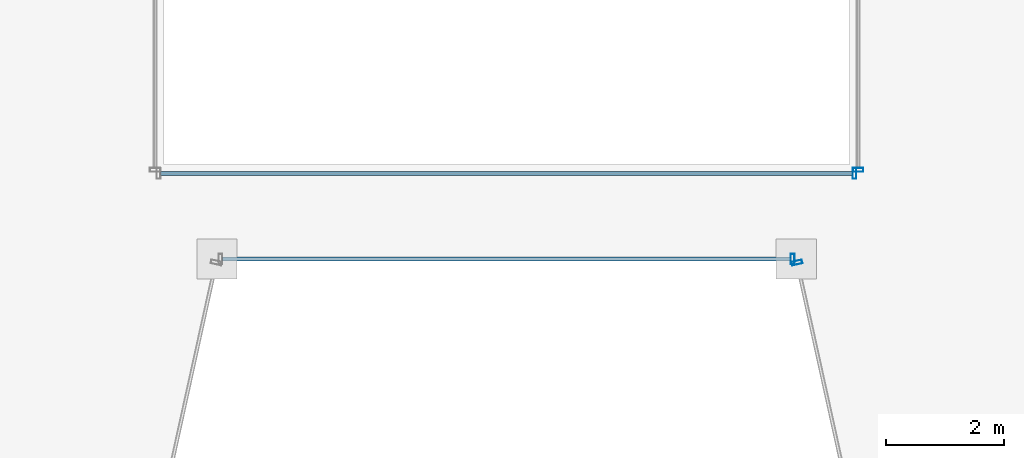
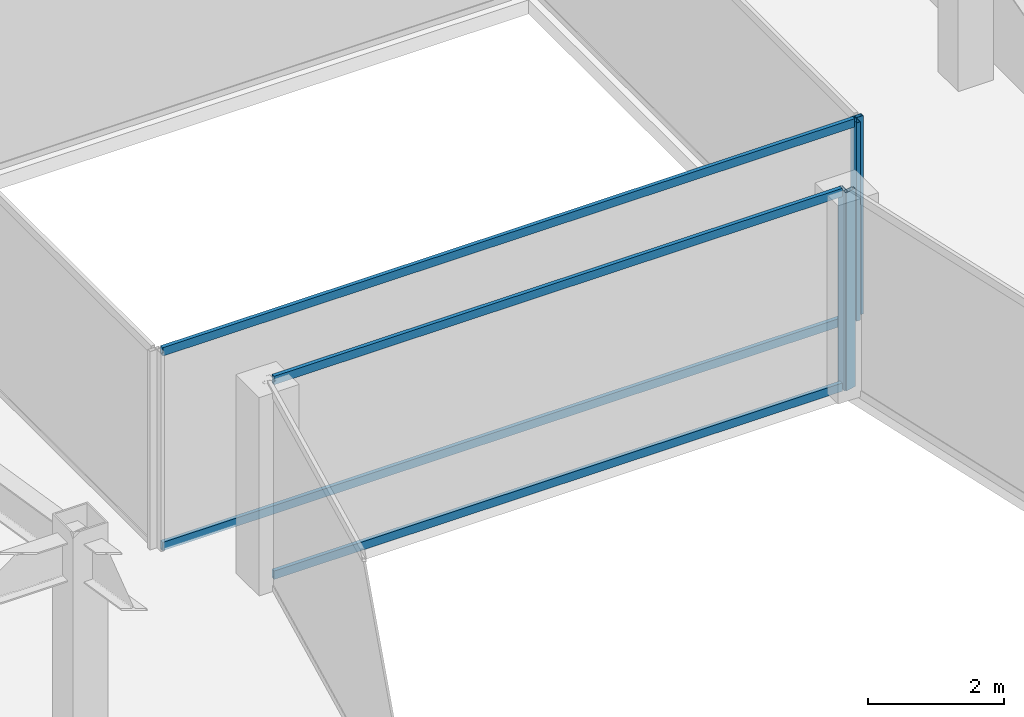
# One storey, part 7 of 36: 8 members, 4 elements without a shape of their own.
"""IFC4 building model written with IfcOpenShell, lengths in metres."""

from ifc_helpers import new_model, si_unit, direction, frame, origin, origin_2d, place, context, subcontext, project, spatial, hollow_rectangle, extrude, material, material_profile, profile_set, type_object, element, aggregate, save


model = new_model("IFC4")

# Units and contexts
model_context = context("Model", 3, precision=1e-05, world=origin(), true_north=direction((0.0, 1.0)))
body_context = subcontext(model_context, "Body", "Model", "MODEL_VIEW")
ifc_project = project(units=[si_unit("LENGTHUNIT", "METRE"), si_unit("AREAUNIT", "SQUARE_METRE"), si_unit("VOLUMEUNIT", "CUBIC_METRE"), si_unit("PLANEANGLEUNIT", "RADIAN"), si_unit("MASSUNIT", "GRAM", prefix="KILO")], contexts=[model_context])

# Site, building, storey
site_placement = place(None, origin())
site = spatial("IfcSite", under=ifc_project, at=site_placement, CompositionType="ELEMENT")
building_placement = place(site_placement, origin())
building = spatial("IfcBuilding", under=site, at=building_placement, Name="Saevonmaru Cultural Tower", CompositionType="ELEMENT")
storey_placement = place(building_placement, frame((0.0, 0.0, 171.39990234375)))
storey = spatial("IfcBuildingStorey", under=building, at=storey_placement, Name="L38", CompositionType="ELEMENT", Elevation=171.39990234375)

# Curtain wall, member
ifc_material = material(Name="Satin Bronze Anodised Aluminium", Category="aluminium")
curtain_wall_type_1 = type_object("IfcCurtainWallType", Name="CW-TYP-A", PredefinedType="NOTDEFINED", material=ifc_material)
curtain_wall_1_placement = place(storey_placement, origin())
curtain_wall_1 = element("IfcCurtainWall", 1, at=curtain_wall_1_placement, inside=storey, type_object=curtain_wall_type_1, Name="L38 Unitised Curtain Wall E4", PredefinedType="NOTDEFINED")
ifc_material_profile_1 = material_profile(ifc_material, hollow_rectangle(XDim=0.06494140625, YDim=0.179931640625, WallThickness=0.00390625, at=origin_2d()), Name="ALU-MULL-180x65x4")
ifc_profile_set_1 = profile_set([ifc_material_profile_1], Name="Satin Bronze Anodised Aluminium")
member_type_1 = type_object("IfcMemberType", Name="ML-CW-180x65", PredefinedType="MULLION", material=ifc_profile_set_1)
member_1_placement = place(storey_placement, frame((34.84228515625, 26.0, 0.0), z_axis=(0.0, 0.0, 1.0), x_axis=(1.0, 0.0, 0.0)))
member_1 = element("IfcMember", 2, at=member_1_placement, type_object=member_type_1, Name="CW-TW-L38-E4 mullion 2", PredefinedType="MULLION", context=body_context, shape_type="SweptSolid", body=[
    extrude(hollow_rectangle(XDim=0.06494140625, YDim=0.179931640625, WallThickness=0.00390625, at=origin_2d()), origin(), (0.0, 0.0, 1.0), 3.550048828125),
])

curtain_wall_2_placement = place(storey_placement, origin())
curtain_wall_2 = element("IfcCurtainWall", 3, at=curtain_wall_2_placement, inside=storey, type_object=curtain_wall_type_1, Name="L38 Unitised Curtain Wall E5", PredefinedType="NOTDEFINED")
member_2_placement = place(storey_placement, frame((34.9150390625, 25.94140625, 0.0), z_axis=(0.0, 0.0, 1.0), x_axis=(0.215413319953, -0.976522965212, 0.0)))
member_2 = element("IfcMember", 4, at=member_2_placement, type_object=member_type_1, Name="CW-TW-L38-E5 mullion 1", PredefinedType="MULLION", context=body_context, shape_type="SweptSolid", body=[
    extrude(hollow_rectangle(XDim=0.06494140625, YDim=0.179931640625, WallThickness=0.00390625, at=origin_2d()), origin(), (0.0, 0.0, 1.0), 3.550048828125),
])
aggregate(curtain_wall_2, [member_2])

curtain_wall_type_2 = type_object("IfcCurtainWallType", Name="CW-ATR-GLZ", PredefinedType="NOTDEFINED", material=ifc_material)
curtain_wall_3_placement = place(storey_placement, origin())
curtain_wall_3 = element("IfcCurtainWall", 5, at=curtain_wall_3_placement, inside=storey, type_object=curtain_wall_type_2, Name="L38 Vertical Atrium Glazed Smoke Screen 1", PredefinedType="NOTDEFINED")
ifc_material_profile_2 = material_profile(ifc_material, hollow_rectangle(XDim=0.06494140625, YDim=0.179931640625, WallThickness=0.00390625, at=origin_2d()), Name="ALU-MULL-180x65x4")
ifc_profile_set_2 = profile_set([ifc_material_profile_2], Name="Satin Bronze Anodised Aluminium")
member_type_2 = type_object("IfcMemberType", Name="ML-CW-INT-180x65", PredefinedType="MULLION", material=ifc_profile_set_2)
member_3_placement = place(storey_placement, frame((35.889892578125, 27.449951171875, 0.0), z_axis=(0.0, 0.0, 1.0), x_axis=(1.0, 0.0, 0.0)))
member_3 = element("IfcMember", 6, at=member_3_placement, type_object=member_type_2, Name="CW-ATR-L38-1 mullion 2", PredefinedType="MULLION", context=body_context, shape_type="SweptSolid", body=[
    extrude(hollow_rectangle(XDim=0.06494140625, YDim=0.179931640625, WallThickness=0.00390625, at=origin_2d()), origin(), (0.0, 0.0, 1.0), 3.550048828125),
])

curtain_wall_4_placement = place(storey_placement, origin())
curtain_wall_4 = element("IfcCurtainWall", 7, at=curtain_wall_4_placement, inside=storey, type_object=curtain_wall_type_2, Name="L38 Vertical Atrium Glazed Smoke Screen 2", PredefinedType="NOTDEFINED")
member_4_placement = place(storey_placement, frame((35.949951171875, 27.510009765625, 0.0), z_axis=(0.0, 0.0, 1.0), x_axis=(0.0, 1.0, 0.0)))
member_4 = element("IfcMember", 8, at=member_4_placement, type_object=member_type_2, Name="CW-ATR-L38-2 mullion 1", PredefinedType="MULLION", context=body_context, shape_type="SweptSolid", body=[
    extrude(hollow_rectangle(XDim=0.06494140625, YDim=0.179931640625, WallThickness=0.00390625, at=origin_2d()), origin(), (0.0, 0.0, 1.0), 3.550048828125),
])
aggregate(curtain_wall_4, [member_4])

# Member
ifc_material_profile_3 = material_profile(ifc_material, hollow_rectangle(XDim=0.06494140625, YDim=0.14990234375, WallThickness=0.00390625, at=origin_2d()), Name="ALU-TRAN-150x65x4")
ifc_profile_set_3 = profile_set([ifc_material_profile_3], Name="Satin Bronze Anodised Aluminium")
member_type_3 = type_object("IfcMemberType", Name="TR-CW-150x65", PredefinedType="USERDEFINED", material=ifc_profile_set_3)
member_5_placement = place(storey_placement, frame((25.190185546875, 26.0, 0.03271484375), z_axis=(1.0, 0.0, 0.0), x_axis=(0.0, 1.0, 0.0)))
member_5 = element("IfcMember", 9, at=member_5_placement, type_object=member_type_3, Name="CW-TW-L38-E4 transom 1.1", ObjectType="TRANSOM", PredefinedType="USERDEFINED", context=body_context, shape_type="SweptSolid", body=[
    extrude(hollow_rectangle(XDim=0.06494140625, YDim=0.14990234375, WallThickness=0.00390625, at=origin_2d()), origin(), (0.0, 0.0, 1.0), 9.61962890625),
])

member_6_placement = place(storey_placement, frame((25.190185546875, 26.0, 3.517578125), z_axis=(1.0, 0.0, 0.0), x_axis=(0.0, 1.0, 0.0)))
member_6 = element("IfcMember", 10, at=member_6_placement, type_object=member_type_3, Name="CW-TW-L38-E4 transom 1.2", ObjectType="TRANSOM", PredefinedType="USERDEFINED", context=body_context, shape_type="SweptSolid", body=[
    extrude(hollow_rectangle(XDim=0.06494140625, YDim=0.14990234375, WallThickness=0.00390625, at=origin_2d()), origin(), (0.0, 0.0, 1.0), 9.61962890625),
])

aggregate(curtain_wall_1, [member_1, member_5, member_6])

ifc_material_profile_4 = material_profile(ifc_material, hollow_rectangle(XDim=0.06494140625, YDim=0.14990234375, WallThickness=0.00390625, at=origin_2d()), Name="ALU-TRAN-150x65x4")
ifc_profile_set_4 = profile_set([ifc_material_profile_4], Name="Satin Bronze Anodised Aluminium")
member_type_4 = type_object("IfcMemberType", Name="TR-CW-INT-150x65", PredefinedType="USERDEFINED", material=ifc_profile_set_4)
member_7_placement = place(storey_placement, frame((24.142578125, 27.449951171875, 0.03271484375), z_axis=(1.0, 0.0, 0.0), x_axis=(0.0, 1.0, 0.0)))
member_7 = element("IfcMember", 11, at=member_7_placement, type_object=member_type_4, Name="CW-ATR-L38-1 transom 1.1", ObjectType="TRANSOM", PredefinedType="USERDEFINED", context=body_context, shape_type="SweptSolid", body=[
    extrude(hollow_rectangle(XDim=0.06494140625, YDim=0.14990234375, WallThickness=0.00390625, at=origin_2d()), origin(), (0.0, 0.0, 1.0), 11.71484375),
])

member_8_placement = place(storey_placement, frame((24.142578125, 27.449951171875, 3.517578125), z_axis=(1.0, 0.0, 0.0), x_axis=(0.0, 1.0, 0.0)))
member_8 = element("IfcMember", 12, at=member_8_placement, type_object=member_type_4, Name="CW-ATR-L38-1 transom 1.2", ObjectType="TRANSOM", PredefinedType="USERDEFINED", context=body_context, shape_type="SweptSolid", body=[
    extrude(hollow_rectangle(XDim=0.06494140625, YDim=0.14990234375, WallThickness=0.00390625, at=origin_2d()), origin(), (0.0, 0.0, 1.0), 11.71484375),
])

aggregate(curtain_wall_3, [member_3, member_7, member_8])

save(model, "model.ifc")
